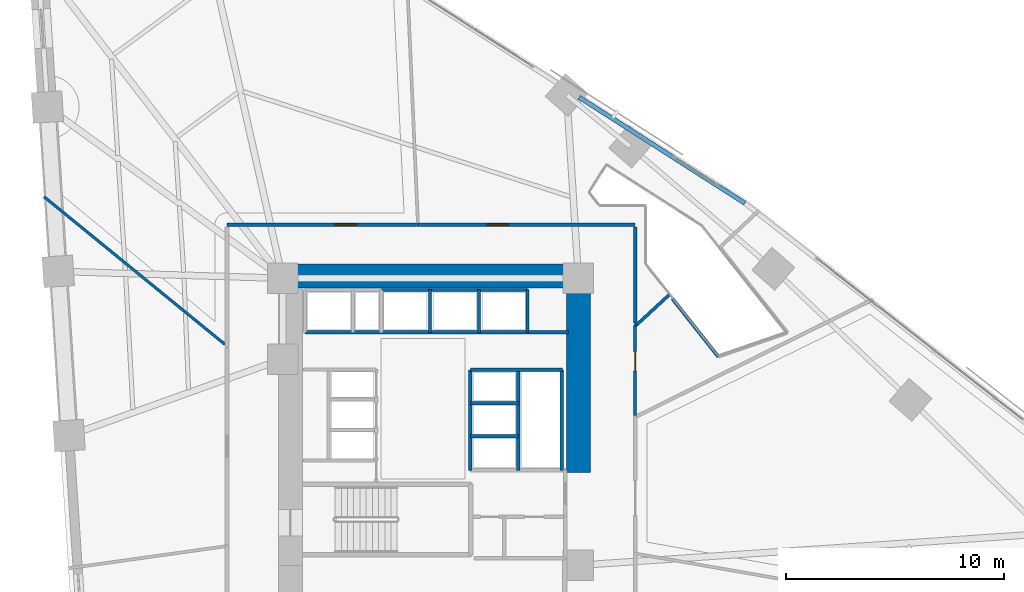
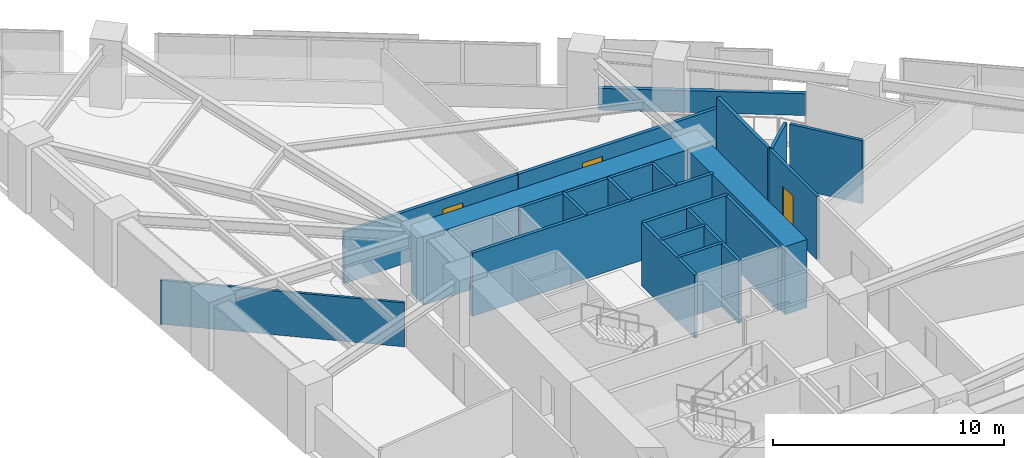
# One storey, part 12 of 15: 22 walls, 3 doors, 3 openings.
"""IFC4 building model written with IfcOpenShell, lengths in metres."""

from ifc_helpers import new_model, si_unit, direction, frame, frame_2d, origin, place, context, subcontext, project, spatial, rectangle, extrude, material, layer, layer_set, type_object, element, fill, save


model = new_model("IFC4")

# Units and contexts
model_context = context("Model", 3, precision=1e-05, world=origin(), true_north=direction((0.0, 1.0)))
body_context = subcontext(model_context, "Body", "Model", "MODEL_VIEW")
ifc_project = project(units=[si_unit("LENGTHUNIT", "METRE"), si_unit("AREAUNIT", "SQUARE_METRE"), si_unit("VOLUMEUNIT", "CUBIC_METRE"), si_unit("PLANEANGLEUNIT", "RADIAN"), si_unit("MASSUNIT", "GRAM", prefix="KILO")], contexts=[model_context])

# Site, building, storey
site_placement = place(None, origin())
site = spatial("IfcSite", under=ifc_project, at=site_placement, CompositionType="ELEMENT")
building_placement = place(site_placement, origin())
building = spatial("IfcBuilding", under=site, at=building_placement, Name="Narakoshi Arena Tower", CompositionType="ELEMENT")
storey_placement = place(building_placement, frame((0.0, 0.0, 74.10009765625)))
storey = spatial("IfcBuildingStorey", under=building, at=storey_placement, Name="L19", CompositionType="ELEMENT", Elevation=74.10009765625)

# Walls
ifc_material_1 = material(Name="Concrete C60/75", Category="concrete")
ifc_layer_1 = layer(ifc_material_1, 1.10009765625)
ifc_layer_set_1 = layer_set([ifc_layer_1], Name="Concrete C60/75")
wall_type_1 = type_object("IfcWallType", Name="WL-CORE-1100", PredefinedType="SHEAR", material=ifc_layer_set_1)
wall_1_placement = place(storey_placement, frame((71.800048828125, 56.60009765625, -0.260009765625), z_axis=(0.0, 0.0, 1.0), x_axis=(1.0, 0.0, 0.0)))
element("IfcWall", 1, at=wall_1_placement, inside=storey, type_object=wall_type_1, Name="L19 Main Core Shear Wall CW-MN-N", PredefinedType="SHEAR", context=body_context, shape_type="SweptSolid", body=[
    extrude(rectangle(XDim=14.300048828125, YDim=1.10009765625, at=frame_2d((7.14990234375, 0.0))), origin(), (0.0, 0.0, 1.0), 3.599853515625),
])
wall_2_placement = place(storey_placement, frame((85.550048828125, 47.60009765625, -0.260009765625), z_axis=(0.0, 0.0, 1.0), x_axis=(0.0, 1.0, 0.0)))
element("IfcWall", 2, at=wall_2_placement, inside=storey, type_object=wall_type_1, Name="L19 Main Core Shear Wall CW-MN-E", PredefinedType="SHEAR", context=body_context, shape_type="SweptSolid", body=[
    extrude(rectangle(XDim=8.449951171875, YDim=1.10009765625, at=frame_2d((4.22509765625, 0.0))), origin(), (0.0, 0.0, 1.0), 3.599853515625),
])

# Wall, opening, door
ifc_material_2 = material(Name="Gypsum plasterboard fire-rated partition")
ifc_layer_2 = layer(ifc_material_2, 0.1650390625)
ifc_layer_set_2 = layer_set([ifc_layer_2], Name="Gypsum plasterboard fire-rated partition")
wall_type_2 = type_object("IfcWallType", Name="WL-CORR-165", PredefinedType="PARTITIONING", material=ifc_layer_set_2)
wall_3_placement = place(storey_placement, frame((88.14990234375, 58.949951171875, 0.0), z_axis=(0.0, 0.0, 1.0), x_axis=(-1.0, 0.0, 0.0)))
wall_3 = element("IfcWall", 3, at=wall_3_placement, inside=storey, type_object=wall_type_2, Name="L19 Corridor Partition 05-1", PredefinedType="PARTITIONING", context=body_context, shape_type="SweptSolid", body=[
    extrude(rectangle(XDim=9.98583984375, YDim=0.1650390625, at=frame_2d((4.992919921875, 0.0))), origin(), (0.0, 0.0, 1.0), 2.724853515625),
])
opening_1_placement = place(wall_3_placement, frame((5.78076171875, 0.0, 0.0)))
opening_1 = element("IfcOpeningElement", 4, at=opening_1_placement, cuts=wall_3, Name="Opening D-06", PredefinedType="OPENING", context=body_context, shape_type="SweptSolid", body=[
    extrude(rectangle(XDim=1.0, YDim=2.199951171875, at=frame_2d((0.5, 1.10009765625))), frame((0.0, 0.092529296875, 0.0), z_axis=(0.0, -1.0, 0.0), x_axis=(1.0, 0.0, 0.0)), (0.0, 0.0, 1.0), 0.18505859375),
])
ifc_material_3 = material(Name="Stained oak solid-core timber", Category="wood")
door_type_1 = type_object("IfcDoorType", Name="DR-OFF-1000", OperationType="NOTDEFINED", PredefinedType="DOOR", material=ifc_material_3)
door_1_placement = place(opening_1_placement, frame((1.0, 0.0, 0.0), z_axis=(0.0, 0.0, 1.0), x_axis=(-1.0, 0.0, 0.0)))
door_1 = element("IfcDoor", 5, at=door_1_placement, inside=storey, type_object=door_type_1, Name="DR-L19-018", OperationType="SINGLE_SWING_LEFT", OverallHeight=2.199951171875, OverallWidth=1.0, PredefinedType="DOOR", context=body_context, shape_type="SweptSolid", body=[
    extrude(rectangle(XDim=1.0, YDim=2.199951171875, at=frame_2d((0.5, 1.10009765625))), frame((0.0, 0.02490234375, 0.0), z_axis=(0.0, -1.0, 0.0), x_axis=(1.0, 0.0, 0.0)), (0.0, 0.0, 1.0), 0.050048828125),
])
fill(opening_1, door_1)

# Wall
wall_4_placement = place(storey_placement, frame((88.14990234375, 54.447509765625, 0.0), z_axis=(0.0, 0.0, 1.0), x_axis=(0.0, 1.0, 0.0)))
element("IfcWall", 6, at=wall_4_placement, inside=storey, type_object=wall_type_2, Name="L19 Corridor Partition 05-2", PredefinedType="PARTITIONING", context=body_context, shape_type="SweptSolid", body=[
    extrude(rectangle(XDim=4.407958984375, YDim=0.1650390625, at=frame_2d((2.2041015625, 0.0))), origin(), (0.0, 0.0, 1.0), 3.33984375),
])

# Wall, opening, door
wall_5_placement = place(storey_placement, frame((78.14013671875, 58.949951171875, 0.0), z_axis=(0.0, 0.0, 1.0), x_axis=(-1.0, 0.0, 0.0)))
wall_5 = element("IfcWall", 7, at=wall_5_placement, inside=storey, type_object=wall_type_2, Name="L19 Corridor Partition 06-1", PredefinedType="PARTITIONING", context=body_context, shape_type="SweptSolid", body=[
    extrude(rectangle(XDim=8.690185546875, YDim=0.1650390625, at=frame_2d((4.34521484375, 0.0))), origin(), (0.0, 0.0, 1.0), 2.724853515625),
])
opening_2_placement = place(wall_5_placement, frame((2.75146484375, 0.0, 0.0)))
opening_2 = element("IfcOpeningElement", 8, at=opening_2_placement, cuts=wall_5, Name="Opening D-06", PredefinedType="OPENING", context=body_context, shape_type="SweptSolid", body=[
    extrude(rectangle(XDim=1.0, YDim=2.199951171875, at=frame_2d((0.5, 1.10009765625))), frame((0.0, 0.092529296875, 0.0), z_axis=(0.0, -1.0, 0.0), x_axis=(1.0, 0.0, 0.0)), (0.0, 0.0, 1.0), 0.18505859375),
])
door_2_placement = place(opening_2_placement, frame((1.0, 0.0, 0.0), z_axis=(0.0, 0.0, 1.0), x_axis=(-1.0, 0.0, 0.0)))
door_2 = element("IfcDoor", 9, at=door_2_placement, inside=storey, type_object=door_type_1, Name="DR-L19-019", OperationType="SINGLE_SWING_RIGHT", OverallHeight=2.199951171875, OverallWidth=1.0, PredefinedType="DOOR", context=body_context, shape_type="SweptSolid", body=[
    extrude(rectangle(XDim=1.0, YDim=2.199951171875, at=frame_2d((0.5, 1.10009765625))), frame((0.0, 0.02490234375, 0.0), z_axis=(0.0, -1.0, 0.0), x_axis=(1.0, 0.0, 0.0)), (0.0, 0.0, 1.0), 0.050048828125),
])
fill(opening_2, door_2)

# Walls
ifc_material_4 = material(Name="Precast concrete C45/55", Category="concrete")
ifc_layer_3 = layer(ifc_material_4, 0.25)
ifc_layer_set_3 = layer_set([ifc_layer_3], Name="Precast concrete C45/55")
wall_type_3 = type_object("IfcWallType", Name="WL-PARA-250", PredefinedType="PARAPET", material=ifc_layer_set_3)
wall_6_placement = place(storey_placement, frame((93.176025390625, 59.93896484375, 0.0), z_axis=(0.0, 0.0, 1.0), x_axis=(-0.842413081081, 0.538832256666, 0.0)))
element("IfcWall", 10, at=wall_6_placement, inside=storey, type_object=wall_type_3, Name="L19 Hypotenuse Sill Upstand Parapet 2-01", PredefinedType="PARAPET", context=body_context, shape_type="SweptSolid", body=[
    extrude(rectangle(XDim=9.010986328125, YDim=0.199951171875, at=frame_2d((4.50537109375, 0.0))), origin(), (0.0, 0.0, 1.0), 1.14990234375),
])
ifc_layer_4 = layer(ifc_material_2, 0.125)
ifc_layer_set_4 = layer_set([ifc_layer_4], Name="Gypsum plasterboard fire-rated partition")
wall_type_4 = type_object("IfcWallType", Name="WL-PART-125", PredefinedType="PARTITIONING", material=ifc_layer_set_4)
wall_7_placement = place(storey_placement, frame((69.35546875, 53.472412109375, 0.0), z_axis=(0.0, 0.0, 1.0), x_axis=(-0.774767054574, 0.632246796074, 0.0)))
element("IfcWall", 11, at=wall_7_placement, inside=storey, type_object=wall_type_4, Name="L19 Inter-Room Partition 06-07", PredefinedType="PARTITIONING", context=body_context, shape_type="SweptSolid", body=[
    extrude(rectangle(XDim=10.69775390625, YDim=0.125, at=frame_2d((5.348876953125, 0.0))), origin(), (0.0, 0.0, 1.0), 2.324951171875),
])
ifc_material_5 = material(Name="Concrete C40/50", Category="concrete")
ifc_layer_5 = layer(ifc_material_5, 0.280029296875)
ifc_layer_set_5 = layer_set([ifc_layer_5], Name="Concrete C40/50")
wall_type_5 = type_object("IfcWallType", Name="WL-RISER-280", PredefinedType="PLUMBINGWALL", material=ifc_layer_set_5)
for number, where, z_axis, x_axis, name in (
    (12, (80.60009765625, 49.260009765625, 0.0), (0.0, 0.0, 1.0), (1.0, 0.0, 0.0), "L19 Core Wall MR-D1"),
    (13, (80.60009765625, 50.780029296875, 0.0), (0.0, 0.0, 1.0), (1.0, 0.0, 0.0), "L19 Core Wall MR-D2"),
):
    element("IfcWall", number, at=place(storey_placement, frame(where, z_axis=z_axis, x_axis=x_axis)), inside=storey, type_object=wall_type_5, Name=name, PredefinedType="PLUMBINGWALL", context=body_context, shape_type="SweptSolid", body=[
        extrude(rectangle(XDim=2.199951171875, YDim=0.14990234375, at=frame_2d((1.10009765625, 0.0))), origin(), (0.0, 0.0, 1.0), 3.33984375),
    ])
wall_8_placement = place(storey_placement, frame((82.800048828125, 47.699951171875, 0.0), z_axis=(0.0, 0.0, 1.0), x_axis=(0.0, 1.0, 0.0)))
element("IfcWall", 14, at=wall_8_placement, inside=storey, type_object=wall_type_5, Name="L19 Core Wall MR-E", PredefinedType="PLUMBINGWALL", context=body_context, shape_type="SweptSolid", body=[
    extrude(rectangle(XDim=4.60009765625, YDim=0.14990234375, at=frame_2d((2.300048828125, 0.0))), origin(), (0.0, 0.0, 1.0), 3.33984375),
])
for number, where, z_axis, x_axis, name in (
    (15, (78.75, 54.02001953125, 0.0), (0.0, 0.0, 1.0), (0.0, 1.0, 0.0), "L19 Core Wall HR-D1"),
    (16, (81.0, 54.02001953125, 0.0), (0.0, 0.0, 1.0), (0.0, 1.0, 0.0), "L19 Core Wall HR-D2"),
):
    element("IfcWall", number, at=place(storey_placement, frame(where, z_axis=z_axis, x_axis=x_axis)), inside=storey, type_object=wall_type_5, Name=name, PredefinedType="PLUMBINGWALL", context=body_context, shape_type="SweptSolid", body=[
        extrude(rectangle(XDim=1.9599609375, YDim=0.14990234375, at=frame_2d((0.97998046875, 0.0))), origin(), (0.0, 0.0, 1.0), 3.33984375),
    ])
ifc_material_6 = material(Name="Concrete C50/60", Category="concrete")
ifc_layer_6 = layer(ifc_material_6, 0.35009765625)
ifc_layer_set_6 = layer_set([ifc_layer_6], Name="Concrete C50/60")
wall_type_6 = type_object("IfcWallType", Name="WL-SHAFT-350", PredefinedType="SOLIDWALL", material=ifc_layer_set_6)
wall_9_placement = place(storey_placement, frame((80.60009765625, 47.699951171875, 0.0), z_axis=(0.0, 0.0, 1.0), x_axis=(0.0, 1.0, 0.0)))
element("IfcWall", 17, at=wall_9_placement, inside=storey, type_object=wall_type_6, Name="L19 Core Wall MR-W", PredefinedType="SOLIDWALL", context=body_context, shape_type="SweptSolid", body=[
    extrude(rectangle(XDim=4.60009765625, YDim=0.159912109375, at=frame_2d((2.300048828125, 0.0))), origin(), (0.0, 0.0, 1.0), 3.33984375),
])
wall_10_placement = place(storey_placement, frame((80.60009765625, 52.300048828125, 0.0), z_axis=(0.0, 0.0, 1.0), x_axis=(1.0, 0.0, 0.0)))
element("IfcWall", 18, at=wall_10_placement, inside=storey, type_object=wall_type_6, Name="L19 Core Wall MR-N", PredefinedType="SOLIDWALL", context=body_context, shape_type="SweptSolid", body=[
    extrude(rectangle(XDim=4.219970703125, YDim=0.159912109375, at=frame_2d((2.10986328125, 0.0))), origin(), (0.0, 0.0, 1.0), 3.33984375),
])
wall_11_placement = place(storey_placement, frame((84.780029296875, 47.699951171875, 0.0), z_axis=(0.0, 0.0, 1.0), x_axis=(0.0, 1.0, 0.0)))
element("IfcWall", 19, at=wall_11_placement, inside=storey, type_object=wall_type_6, Name="L19 Core Wall MR-E2", PredefinedType="SOLIDWALL", context=body_context, shape_type="SweptSolid", body=[
    extrude(rectangle(XDim=4.60009765625, YDim=0.159912109375, at=frame_2d((2.300048828125, 0.0))), origin(), (0.0, 0.0, 1.0), 3.33984375),
])
wall_12_placement = place(storey_placement, frame((73.02001953125, 54.02001953125, 0.0), z_axis=(0.0, 0.0, 1.0), x_axis=(1.0, 0.0, 0.0)))
element("IfcWall", 20, at=wall_12_placement, inside=storey, type_object=wall_type_6, Name="L19 Core Wall NSHF-S", PredefinedType="SOLIDWALL", context=body_context, shape_type="SweptSolid", body=[
    extrude(rectangle(XDim=12.080078125, YDim=0.159912109375, at=frame_2d((6.0400390625, 0.0))), origin(), (0.0, 0.0, 1.0), 3.33984375),
])
wall_13_placement = place(storey_placement, frame((83.219970703125, 54.02001953125, 0.0), z_axis=(0.0, 0.0, 1.0), x_axis=(0.0, 1.0, 0.0)))
element("IfcWall", 21, at=wall_13_placement, inside=storey, type_object=wall_type_6, Name="L19 Core Wall HR-E", PredefinedType="SOLIDWALL", context=body_context, shape_type="SweptSolid", body=[
    extrude(rectangle(XDim=1.9599609375, YDim=0.14990234375, at=frame_2d((0.97998046875, 0.0))), origin(), (0.0, 0.0, 1.0), 3.33984375),
])
wall_14_placement = place(storey_placement, frame((76.52001953125, 55.9599609375, 0.0), z_axis=(0.0, 0.0, 1.0), x_axis=(1.0, 0.0, 0.0)))
element("IfcWall", 22, at=wall_14_placement, inside=storey, type_object=wall_type_6, Name="L19 Core Wall HR-N", PredefinedType="SOLIDWALL", context=body_context, shape_type="SweptSolid", body=[
    extrude(rectangle(XDim=6.699951171875, YDim=0.14990234375, at=frame_2d((3.35009765625, 0.0))), origin(), (0.0, 0.0, 1.0), 3.33984375),
])

# Wall, opening, door
ifc_material_7 = material(Name="Moisture-resistant cement-board partition")
ifc_layer_7 = layer(ifc_material_7, 0.14501953125)
ifc_layer_set_7 = layer_set([ifc_layer_7], Name="Moisture-resistant cement-board partition")
wall_type_7 = type_object("IfcWallType", Name="WL-WET-145", PredefinedType="PARTITIONING", material=ifc_layer_set_7)
wall_15_placement = place(storey_placement, frame((88.14990234375, 50.2041015625, 0.0), z_axis=(0.0, 0.0, 1.0), x_axis=(0.0, 1.0, 0.0)))
wall_15 = element("IfcWall", 23, at=wall_15_placement, inside=storey, type_object=wall_type_7, Name="L19 Corridor Partition 04-1", PredefinedType="PARTITIONING", context=body_context, shape_type="SweptSolid", body=[
    extrude(rectangle(XDim=4.127685546875, YDim=0.14501953125, at=frame_2d((2.06396484375, 0.0))), origin(), (0.0, 0.0, 1.0), 3.33984375),
])
opening_3_placement = place(wall_15_placement, frame((2.0380859375, 0.0, 0.0)))
opening_3 = element("IfcOpeningElement", 24, at=opening_3_placement, cuts=wall_15, Name="Opening D-08", PredefinedType="OPENING", context=body_context, shape_type="SweptSolid", body=[
    extrude(rectangle(XDim=0.89990234375, YDim=2.10009765625, at=frame_2d((0.449951171875, 1.050048828125))), frame((0.0, 0.08251953125, 0.0), z_axis=(0.0, -1.0, 0.0), x_axis=(1.0, 0.0, 0.0)), (0.0, 0.0, 1.0), 0.1650390625),
])
ifc_material_8 = material(Name="Moisture-resistant laminate timber", Category="wood")
door_type_2 = type_object("IfcDoorType", Name="DR-WC-900", OperationType="NOTDEFINED", PredefinedType="DOOR", material=ifc_material_8)
door_3_placement = place(opening_3_placement, frame((0.89990234375, 0.0, 0.0), z_axis=(0.0, 0.0, 1.0), x_axis=(-1.0, 0.0, 0.0)))
door_3 = element("IfcDoor", 25, at=door_3_placement, inside=storey, type_object=door_type_2, Name="DR-L19-017", OperationType="SINGLE_SWING_LEFT", OverallHeight=2.10009765625, OverallWidth=0.89990234375, PredefinedType="DOOR", context=body_context, shape_type="SweptSolid", body=[
    extrude(rectangle(XDim=0.89990234375, YDim=2.10009765625, at=frame_2d((0.449951171875, 1.050048828125))), frame((0.0, 0.02490234375, 0.0), z_axis=(0.0, -1.0, 0.0), x_axis=(1.0, 0.0, 0.0)), (0.0, 0.0, 1.0), 0.050048828125),
])
fill(opening_3, door_3)

# Walls
wall_16_placement = place(storey_placement, frame((88.14990234375, 54.331787109375, 0.0), z_axis=(0.0, 0.0, 1.0), x_axis=(0.730462531297, 0.682952773164, 0.0)))
element("IfcWall", 26, at=wall_16_placement, inside=storey, type_object=wall_type_7, Name="L19 Corridor Partition 04-2", PredefinedType="PARTITIONING", context=body_context, shape_type="SweptSolid", body=[
    extrude(rectangle(XDim=0.082275390625, YDim=0.14501953125, at=frame_2d((0.041015625, 0.0))), origin(), (0.0, 0.0, 1.0), 3.33984375),
])
wall_17_placement = place(storey_placement, frame((88.22412109375, 54.373046875, 0.0), z_axis=(0.0, 0.0, 1.0), x_axis=(0.735391410091, 0.677642585707, 0.0)))
element("IfcWall", 27, at=wall_17_placement, inside=storey, type_object=wall_type_7, Name="L19 Inter-Room Partition 04-05", PredefinedType="PARTITIONING", context=body_context, shape_type="SweptSolid", body=[
    extrude(rectangle(XDim=2.020751953125, YDim=0.14501953125, at=frame_2d((1.01025390625, 0.0))), origin(), (0.0, 0.0, 1.0), 3.33984375),
])
wall_18_placement = place(storey_placement, frame((89.85498046875, 55.5595703125, 0.0), z_axis=(0.0, 0.0, 1.0), x_axis=(0.620391789011, -0.784292055377, 0.0)))
element("IfcWall", 28, at=wall_18_placement, inside=storey, type_object=wall_type_7, Name="L19 Room Enclosure Partition 04-1", PredefinedType="PARTITIONING", context=body_context, shape_type="SweptSolid", body=[
    extrude(rectangle(XDim=3.376953125, YDim=0.14501953125, at=frame_2d((1.6884765625, 0.0))), origin(), (0.0, 0.0, 1.0), 3.33984375),
])

save(model, "model.ifc")
